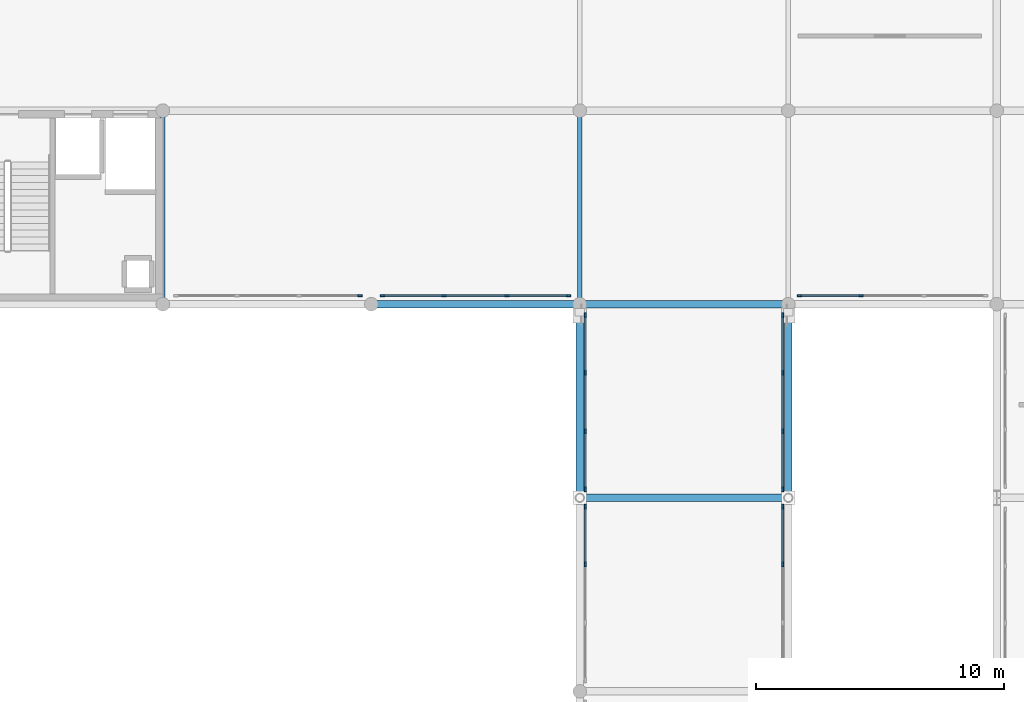
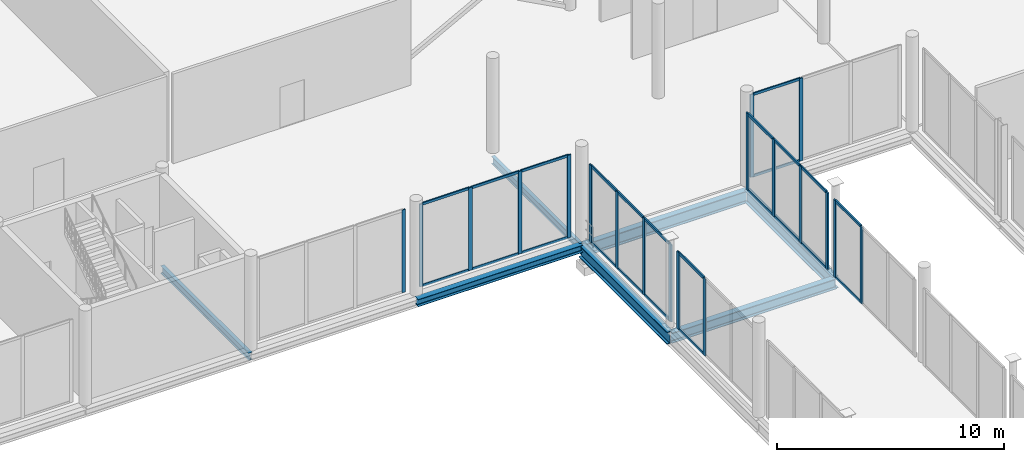
# One storey, part 49 of 105: 43 members, 7 beams, 7 elements without a shape of their own.
"""IFC4 building model written with IfcOpenShell, lengths in metres."""

from ifc_helpers import new_model, si_unit, direction, frame, origin, origin_2d, place, context, subcontext, project, spatial, rectangle, i_section, extrude, material, material_profile, profile_set, type_object, element, aggregate, save


model = new_model("IFC4")

# Units and contexts
model_context = context("Model", 3, precision=1e-05, world=origin(), true_north=direction((0.0, 1.0)))
body_context = subcontext(model_context, "Body", "Model", "MODEL_VIEW")
ifc_project = project(units=[si_unit("LENGTHUNIT", "METRE"), si_unit("AREAUNIT", "SQUARE_METRE"), si_unit("VOLUMEUNIT", "CUBIC_METRE"), si_unit("PLANEANGLEUNIT", "RADIAN"), si_unit("MASSUNIT", "GRAM", prefix="KILO")], contexts=[model_context])

# Site, building, storey
site_placement = place(None, origin())
site = spatial("IfcSite", under=ifc_project, at=site_placement, CompositionType="ELEMENT")
building_placement = place(site_placement, origin())
building = spatial("IfcBuilding", under=site, at=building_placement, Name="Nabrawat Pavilion Hospital", CompositionType="ELEMENT")
storey_placement = place(building_placement, frame((0.0, 0.0, 5.10009765625)))
storey = spatial("IfcBuildingStorey", under=building, at=storey_placement, Name="L01", CompositionType="ELEMENT", Elevation=5.10009765625)

# Beams
ifc_material_1 = material(Name="Steel S355", Category="steel")
ifc_material_profile_1 = material_profile(ifc_material_1, i_section(OverallWidth=0.300048828125, OverallDepth=0.64990234375, WebThickness=0.01611328125, FlangeThickness=0.031005859375, FilletRadius=0.027099609375, at=origin_2d()), Name="HEB 650")
ifc_profile_set_1 = profile_set([ifc_material_profile_1], Name="Steel S355")
beam_type_1 = type_object("IfcBeamType", Name="Courtyard Link Bridge Edge Girder HEB 650", PredefinedType="USERDEFINED", material=ifc_profile_set_1)
beam_1_placement = place(storey_placement, frame((109.219970703125, 85.800048828125, -0.614990234375), z_axis=(1.0, 0.0, 0.0), x_axis=(0.0, 1.0, 0.0)))
element("IfcBeam", 1, at=beam_1_placement, inside=storey, type_object=beam_type_1, Name="L01 Courtyard Link Bridge Girder 612", ObjectType="GIRDER", PredefinedType="USERDEFINED", context=body_context, shape_type="SweptSolid", body=[
    extrude(i_section(OverallWidth=0.300048828125, OverallDepth=0.64990234375, WebThickness=0.01611328125, FlangeThickness=0.031005859375, FilletRadius=0.027099609375, at=origin_2d()), origin(), (0.0, 0.0, 1.0), 8.360107421875),
])
for number, where, z_axis, x_axis, name in (
    (2, (109.199951171875, 78.02001953125, -0.614990234375), (0.0, 1.0, 0.0), (-1.0, 0.0, 0.0), "L01 Courtyard Link Bridge Edge Girder 784"),
    (3, (117.60009765625, 78.02001953125, -0.614990234375), (0.0, 1.0, 0.0), (-1.0, 0.0, 0.0), "L01 Courtyard Link Bridge Edge Girder 793"),
):
    element("IfcBeam", number, at=place(storey_placement, frame(where, z_axis=z_axis, x_axis=x_axis)), inside=storey, type_object=beam_type_1, Name=name, ObjectType="GIRDER", PredefinedType="USERDEFINED", context=body_context, shape_type="SweptSolid", body=[
        extrude(i_section(OverallWidth=0.300048828125, OverallDepth=0.64990234375, WebThickness=0.01611328125, FlangeThickness=0.031005859375, FilletRadius=0.027099609375, at=origin_2d()), origin(), (0.0, 0.0, 1.0), 7.760009765625),
    ])

# Curtain wall, members
ifc_material_2 = material(Name="Anodised Aluminium", Category="aluminium")
curtain_wall_type_1 = type_object("IfcCurtainWallType", Name="Courtyard Link Bridge Glazed Curtain Wall", PredefinedType="USERDEFINED", material=ifc_material_2)
curtain_wall_1_placement = place(storey_placement, origin())
curtain_wall_1 = element("IfcCurtainWall", 4, at=curtain_wall_1_placement, inside=storey, type_object=curtain_wall_type_1, Name="L01 Courtyard Link Bridge Glazed Curtain Wall 075", ObjectType="CURTAIN WALL", PredefinedType="USERDEFINED")
ifc_material_profile_2 = material_profile(ifc_material_2, rectangle(XDim=0.070068359375, YDim=0.199951171875, at=origin_2d()), Name="CWM 70x200")
ifc_profile_set_2 = profile_set([ifc_material_profile_2], Name="Anodised Aluminium")
member_type_1 = type_object("IfcMemberType", Name="Courtyard Link Bridge Glazed Curtain Wall Mullion CWM 70x200", PredefinedType="MULLION", material=ifc_profile_set_2)
member_1_placement = place(storey_placement, frame((109.419921875, 75.326416015625, 0.0), z_axis=(0.0, 0.0, 1.0), x_axis=(-1.0, 0.0, 0.0)))
member_1 = element("IfcMember", 5, at=member_1_placement, type_object=member_type_1, Name="CW-BRG-01 mullion 3", PredefinedType="MULLION", context=body_context, shape_type="SweptSolid", body=[
    extrude(rectangle(XDim=0.070068359375, YDim=0.199951171875, at=origin_2d()), origin(), (0.0, 0.0, 1.0), 4.139892578125),
])
member_2_placement = place(storey_placement, frame((109.419921875, 77.647216796875, 0.0), z_axis=(0.0, 0.0, 1.0), x_axis=(-1.0, 0.0, 0.0)))
member_2 = element("IfcMember", 6, at=member_2_placement, type_object=member_type_1, Name="CW-BRG-01 mullion 4", PredefinedType="MULLION", context=body_context, shape_type="SweptSolid", body=[
    extrude(rectangle(XDim=0.070068359375, YDim=0.199951171875, at=origin_2d()), origin(), (0.0, 0.0, 1.0), 4.139892578125),
])

curtain_wall_2_placement = place(storey_placement, origin())
curtain_wall_2 = element("IfcCurtainWall", 7, at=curtain_wall_2_placement, inside=storey, type_object=curtain_wall_type_1, Name="L01 Courtyard Link Bridge Glazed Curtain Wall 076", ObjectType="CURTAIN WALL", PredefinedType="USERDEFINED")
member_3_placement = place(storey_placement, frame((109.419921875, 78.352783203125, 0.0), z_axis=(0.0, 0.0, 1.0), x_axis=(-1.0, 0.0, 0.0)))
member_3 = element("IfcMember", 8, at=member_3_placement, type_object=member_type_1, Name="CW-BRG-01 mullion 1", PredefinedType="MULLION", context=body_context, shape_type="SweptSolid", body=[
    extrude(rectangle(XDim=0.070068359375, YDim=0.199951171875, at=origin_2d()), origin(), (0.0, 0.0, 1.0), 4.139892578125),
])
member_4_placement = place(storey_placement, frame((109.419921875, 80.673583984375, 0.0), z_axis=(0.0, 0.0, 1.0), x_axis=(-1.0, 0.0, 0.0)))
member_4 = element("IfcMember", 9, at=member_4_placement, type_object=member_type_1, Name="CW-BRG-01 mullion 2", PredefinedType="MULLION", context=body_context, shape_type="SweptSolid", body=[
    extrude(rectangle(XDim=0.070068359375, YDim=0.199951171875, at=origin_2d()), origin(), (0.0, 0.0, 1.0), 4.139892578125),
])
member_5_placement = place(storey_placement, frame((109.419921875, 83.029296875, 0.0), z_axis=(0.0, 0.0, 1.0), x_axis=(-1.0, 0.0, 0.0)))
member_5 = element("IfcMember", 10, at=member_5_placement, type_object=member_type_1, Name="CW-BRG-01 mullion 3", PredefinedType="MULLION", context=body_context, shape_type="SweptSolid", body=[
    extrude(rectangle(XDim=0.070068359375, YDim=0.199951171875, at=origin_2d()), origin(), (0.0, 0.0, 1.0), 4.139892578125),
])
member_6_placement = place(storey_placement, frame((109.419921875, 85.35009765625, 0.0), z_axis=(0.0, 0.0, 1.0), x_axis=(-1.0, 0.0, 0.0)))
member_6 = element("IfcMember", 11, at=member_6_placement, type_object=member_type_1, Name="CW-BRG-01 mullion 4", PredefinedType="MULLION", context=body_context, shape_type="SweptSolid", body=[
    extrude(rectangle(XDim=0.070068359375, YDim=0.199951171875, at=origin_2d()), origin(), (0.0, 0.0, 1.0), 4.139892578125),
])

curtain_wall_3_placement = place(storey_placement, origin())
curtain_wall_3 = element("IfcCurtainWall", 12, at=curtain_wall_3_placement, inside=storey, type_object=curtain_wall_type_1, Name="L01 Courtyard Link Bridge Glazed Curtain Wall 081", ObjectType="CURTAIN WALL", PredefinedType="USERDEFINED")
member_7_placement = place(storey_placement, frame((117.3798828125, 75.326416015625, 0.0), z_axis=(0.0, 0.0, 1.0), x_axis=(-1.0, 0.0, 0.0)))
member_7 = element("IfcMember", 13, at=member_7_placement, type_object=member_type_1, Name="CW-BRG-01 mullion 3", PredefinedType="MULLION", context=body_context, shape_type="SweptSolid", body=[
    extrude(rectangle(XDim=0.070068359375, YDim=0.199951171875, at=origin_2d()), origin(), (0.0, 0.0, 1.0), 4.139892578125),
])
member_8_placement = place(storey_placement, frame((117.3798828125, 77.647216796875, 0.0), z_axis=(0.0, 0.0, 1.0), x_axis=(-1.0, 0.0, 0.0)))
member_8 = element("IfcMember", 14, at=member_8_placement, type_object=member_type_1, Name="CW-BRG-01 mullion 4", PredefinedType="MULLION", context=body_context, shape_type="SweptSolid", body=[
    extrude(rectangle(XDim=0.070068359375, YDim=0.199951171875, at=origin_2d()), origin(), (0.0, 0.0, 1.0), 4.139892578125),
])

curtain_wall_4_placement = place(storey_placement, origin())
curtain_wall_4 = element("IfcCurtainWall", 15, at=curtain_wall_4_placement, inside=storey, type_object=curtain_wall_type_1, Name="L01 Courtyard Link Bridge Glazed Curtain Wall 082", ObjectType="CURTAIN WALL", PredefinedType="USERDEFINED")
member_9_placement = place(storey_placement, frame((117.3798828125, 78.352783203125, 0.0), z_axis=(0.0, 0.0, 1.0), x_axis=(-1.0, 0.0, 0.0)))
member_9 = element("IfcMember", 16, at=member_9_placement, type_object=member_type_1, Name="CW-BRG-01 mullion 1", PredefinedType="MULLION", context=body_context, shape_type="SweptSolid", body=[
    extrude(rectangle(XDim=0.070068359375, YDim=0.199951171875, at=origin_2d()), origin(), (0.0, 0.0, 1.0), 4.139892578125),
])
member_10_placement = place(storey_placement, frame((117.3798828125, 80.673583984375, 0.0), z_axis=(0.0, 0.0, 1.0), x_axis=(-1.0, 0.0, 0.0)))
member_10 = element("IfcMember", 17, at=member_10_placement, type_object=member_type_1, Name="CW-BRG-01 mullion 2", PredefinedType="MULLION", context=body_context, shape_type="SweptSolid", body=[
    extrude(rectangle(XDim=0.070068359375, YDim=0.199951171875, at=origin_2d()), origin(), (0.0, 0.0, 1.0), 4.139892578125),
])
member_11_placement = place(storey_placement, frame((117.3798828125, 83.029296875, 0.0), z_axis=(0.0, 0.0, 1.0), x_axis=(-1.0, 0.0, 0.0)))
member_11 = element("IfcMember", 18, at=member_11_placement, type_object=member_type_1, Name="CW-BRG-01 mullion 3", PredefinedType="MULLION", context=body_context, shape_type="SweptSolid", body=[
    extrude(rectangle(XDim=0.070068359375, YDim=0.199951171875, at=origin_2d()), origin(), (0.0, 0.0, 1.0), 4.139892578125),
])
member_12_placement = place(storey_placement, frame((117.3798828125, 85.35009765625, 0.0), z_axis=(0.0, 0.0, 1.0), x_axis=(-1.0, 0.0, 0.0)))
member_12 = element("IfcMember", 19, at=member_12_placement, type_object=member_type_1, Name="CW-BRG-01 mullion 4", PredefinedType="MULLION", context=body_context, shape_type="SweptSolid", body=[
    extrude(rectangle(XDim=0.070068359375, YDim=0.199951171875, at=origin_2d()), origin(), (0.0, 0.0, 1.0), 4.139892578125),
])

# Member
ifc_material_profile_3 = material_profile(ifc_material_2, rectangle(XDim=0.070068359375, YDim=0.14990234375, at=origin_2d()), Name="CWT 70x150")
ifc_profile_set_3 = profile_set([ifc_material_profile_3], Name="Anodised Aluminium")
member_type_2 = type_object("IfcMemberType", Name="Courtyard Link Bridge Glazed Curtain Wall Transom CWT 70x150", PredefinedType="USERDEFINED", material=ifc_profile_set_3)
member_13_placement = place(storey_placement, frame((109.419921875, 75.361572265625, 0.034912109375), z_axis=(0.0, 1.0, 0.0), x_axis=(-1.0, 0.0, 0.0)))
member_13 = element("IfcMember", 20, at=member_13_placement, type_object=member_type_2, Name="CW-BRG-01 transom 3.1", ObjectType="TRANSOM", PredefinedType="USERDEFINED", context=body_context, shape_type="SweptSolid", body=[
    extrude(rectangle(XDim=0.070068359375, YDim=0.14990234375, at=origin_2d()), origin(), (0.0, 0.0, 1.0), 2.250732421875),
])

member_14_placement = place(storey_placement, frame((109.419921875, 75.361572265625, 4.10498046875), z_axis=(0.0, 1.0, 0.0), x_axis=(-1.0, 0.0, 0.0)))
member_14 = element("IfcMember", 21, at=member_14_placement, type_object=member_type_2, Name="CW-BRG-01 transom 3.2", ObjectType="TRANSOM", PredefinedType="USERDEFINED", context=body_context, shape_type="SweptSolid", body=[
    extrude(rectangle(XDim=0.070068359375, YDim=0.14990234375, at=origin_2d()), origin(), (0.0, 0.0, 1.0), 2.250732421875),
])

aggregate(curtain_wall_1, [member_1, member_2, member_13, member_14])

member_15_placement = place(storey_placement, frame((109.419921875, 78.3876953125, 0.034912109375), z_axis=(0.0, 1.0, 0.0), x_axis=(-1.0, 0.0, 0.0)))
member_15 = element("IfcMember", 22, at=member_15_placement, type_object=member_type_2, Name="CW-BRG-01 transom 1.1", ObjectType="TRANSOM", PredefinedType="USERDEFINED", context=body_context, shape_type="SweptSolid", body=[
    extrude(rectangle(XDim=0.070068359375, YDim=0.14990234375, at=origin_2d()), origin(), (0.0, 0.0, 1.0), 2.250732421875),
])

member_16_placement = place(storey_placement, frame((109.419921875, 78.3876953125, 4.10498046875), z_axis=(0.0, 1.0, 0.0), x_axis=(-1.0, 0.0, 0.0)))
member_16 = element("IfcMember", 23, at=member_16_placement, type_object=member_type_2, Name="CW-BRG-01 transom 1.2", ObjectType="TRANSOM", PredefinedType="USERDEFINED", context=body_context, shape_type="SweptSolid", body=[
    extrude(rectangle(XDim=0.070068359375, YDim=0.14990234375, at=origin_2d()), origin(), (0.0, 0.0, 1.0), 2.250732421875),
])

member_17_placement = place(storey_placement, frame((109.419921875, 80.70849609375, 0.034912109375), z_axis=(0.0, 1.0, 0.0), x_axis=(-1.0, 0.0, 0.0)))
member_17 = element("IfcMember", 24, at=member_17_placement, type_object=member_type_2, Name="CW-BRG-01 transom 2.1", ObjectType="TRANSOM", PredefinedType="USERDEFINED", context=body_context, shape_type="SweptSolid", body=[
    extrude(rectangle(XDim=0.070068359375, YDim=0.14990234375, at=origin_2d()), origin(), (0.0, 0.0, 1.0), 2.285888671875),
])

member_18_placement = place(storey_placement, frame((109.419921875, 80.70849609375, 4.10498046875), z_axis=(0.0, 1.0, 0.0), x_axis=(-1.0, 0.0, 0.0)))
member_18 = element("IfcMember", 25, at=member_18_placement, type_object=member_type_2, Name="CW-BRG-01 transom 2.2", ObjectType="TRANSOM", PredefinedType="USERDEFINED", context=body_context, shape_type="SweptSolid", body=[
    extrude(rectangle(XDim=0.070068359375, YDim=0.14990234375, at=origin_2d()), origin(), (0.0, 0.0, 1.0), 2.285888671875),
])

member_19_placement = place(storey_placement, frame((109.419921875, 83.064208984375, 0.034912109375), z_axis=(0.0, 1.0, 0.0), x_axis=(-1.0, 0.0, 0.0)))
member_19 = element("IfcMember", 26, at=member_19_placement, type_object=member_type_2, Name="CW-BRG-01 transom 3.1", ObjectType="TRANSOM", PredefinedType="USERDEFINED", context=body_context, shape_type="SweptSolid", body=[
    extrude(rectangle(XDim=0.070068359375, YDim=0.14990234375, at=origin_2d()), origin(), (0.0, 0.0, 1.0), 2.250732421875),
])

member_20_placement = place(storey_placement, frame((109.419921875, 83.064208984375, 4.10498046875), z_axis=(0.0, 1.0, 0.0), x_axis=(-1.0, 0.0, 0.0)))
member_20 = element("IfcMember", 27, at=member_20_placement, type_object=member_type_2, Name="CW-BRG-01 transom 3.2", ObjectType="TRANSOM", PredefinedType="USERDEFINED", context=body_context, shape_type="SweptSolid", body=[
    extrude(rectangle(XDim=0.070068359375, YDim=0.14990234375, at=origin_2d()), origin(), (0.0, 0.0, 1.0), 2.250732421875),
])

aggregate(curtain_wall_2, [member_3, member_4, member_5, member_6, member_15, member_16, member_17, member_18, member_19, member_20])

member_21_placement = place(storey_placement, frame((117.3798828125, 75.361572265625, 0.034912109375), z_axis=(0.0, 1.0, 0.0), x_axis=(-1.0, 0.0, 0.0)))
member_21 = element("IfcMember", 28, at=member_21_placement, type_object=member_type_2, Name="CW-BRG-01 transom 3.1", ObjectType="TRANSOM", PredefinedType="USERDEFINED", context=body_context, shape_type="SweptSolid", body=[
    extrude(rectangle(XDim=0.070068359375, YDim=0.14990234375, at=origin_2d()), origin(), (0.0, 0.0, 1.0), 2.250732421875),
])

member_22_placement = place(storey_placement, frame((117.3798828125, 75.361572265625, 4.10498046875), z_axis=(0.0, 1.0, 0.0), x_axis=(-1.0, 0.0, 0.0)))
member_22 = element("IfcMember", 29, at=member_22_placement, type_object=member_type_2, Name="CW-BRG-01 transom 3.2", ObjectType="TRANSOM", PredefinedType="USERDEFINED", context=body_context, shape_type="SweptSolid", body=[
    extrude(rectangle(XDim=0.070068359375, YDim=0.14990234375, at=origin_2d()), origin(), (0.0, 0.0, 1.0), 2.250732421875),
])

aggregate(curtain_wall_3, [member_7, member_8, member_21, member_22])

member_23_placement = place(storey_placement, frame((117.3798828125, 78.3876953125, 0.034912109375), z_axis=(0.0, 1.0, 0.0), x_axis=(-1.0, 0.0, 0.0)))
member_23 = element("IfcMember", 30, at=member_23_placement, type_object=member_type_2, Name="CW-BRG-01 transom 1.1", ObjectType="TRANSOM", PredefinedType="USERDEFINED", context=body_context, shape_type="SweptSolid", body=[
    extrude(rectangle(XDim=0.070068359375, YDim=0.14990234375, at=origin_2d()), origin(), (0.0, 0.0, 1.0), 2.250732421875),
])

member_24_placement = place(storey_placement, frame((117.3798828125, 78.3876953125, 4.10498046875), z_axis=(0.0, 1.0, 0.0), x_axis=(-1.0, 0.0, 0.0)))
member_24 = element("IfcMember", 31, at=member_24_placement, type_object=member_type_2, Name="CW-BRG-01 transom 1.2", ObjectType="TRANSOM", PredefinedType="USERDEFINED", context=body_context, shape_type="SweptSolid", body=[
    extrude(rectangle(XDim=0.070068359375, YDim=0.14990234375, at=origin_2d()), origin(), (0.0, 0.0, 1.0), 2.250732421875),
])

member_25_placement = place(storey_placement, frame((117.3798828125, 80.70849609375, 0.034912109375), z_axis=(0.0, 1.0, 0.0), x_axis=(-1.0, 0.0, 0.0)))
member_25 = element("IfcMember", 32, at=member_25_placement, type_object=member_type_2, Name="CW-BRG-01 transom 2.1", ObjectType="TRANSOM", PredefinedType="USERDEFINED", context=body_context, shape_type="SweptSolid", body=[
    extrude(rectangle(XDim=0.070068359375, YDim=0.14990234375, at=origin_2d()), origin(), (0.0, 0.0, 1.0), 2.285888671875),
])

member_26_placement = place(storey_placement, frame((117.3798828125, 80.70849609375, 4.10498046875), z_axis=(0.0, 1.0, 0.0), x_axis=(-1.0, 0.0, 0.0)))
member_26 = element("IfcMember", 33, at=member_26_placement, type_object=member_type_2, Name="CW-BRG-01 transom 2.2", ObjectType="TRANSOM", PredefinedType="USERDEFINED", context=body_context, shape_type="SweptSolid", body=[
    extrude(rectangle(XDim=0.070068359375, YDim=0.14990234375, at=origin_2d()), origin(), (0.0, 0.0, 1.0), 2.285888671875),
])

member_27_placement = place(storey_placement, frame((117.3798828125, 83.064208984375, 0.034912109375), z_axis=(0.0, 1.0, 0.0), x_axis=(-1.0, 0.0, 0.0)))
member_27 = element("IfcMember", 34, at=member_27_placement, type_object=member_type_2, Name="CW-BRG-01 transom 3.1", ObjectType="TRANSOM", PredefinedType="USERDEFINED", context=body_context, shape_type="SweptSolid", body=[
    extrude(rectangle(XDim=0.070068359375, YDim=0.14990234375, at=origin_2d()), origin(), (0.0, 0.0, 1.0), 2.250732421875),
])

member_28_placement = place(storey_placement, frame((117.3798828125, 83.064208984375, 4.10498046875), z_axis=(0.0, 1.0, 0.0), x_axis=(-1.0, 0.0, 0.0)))
member_28 = element("IfcMember", 35, at=member_28_placement, type_object=member_type_2, Name="CW-BRG-01 transom 3.2", ObjectType="TRANSOM", PredefinedType="USERDEFINED", context=body_context, shape_type="SweptSolid", body=[
    extrude(rectangle(XDim=0.070068359375, YDim=0.14990234375, at=origin_2d()), origin(), (0.0, 0.0, 1.0), 2.250732421875),
])

aggregate(curtain_wall_4, [member_9, member_10, member_11, member_12, member_23, member_24, member_25, member_26, member_27, member_28])

# Curtain wall, member
curtain_wall_type_2 = type_object("IfcCurtainWallType", Name="Healing Garden Cloister Curtain Wall", PredefinedType="USERDEFINED", material=ifc_material_2)
curtain_wall_5_placement = place(storey_placement, origin())
curtain_wall_5 = element("IfcCurtainWall", 36, at=curtain_wall_5_placement, inside=storey, type_object=curtain_wall_type_2, Name="L01 Healing Garden Cloister Curtain Wall 069", ObjectType="CURTAIN WALL", PredefinedType="USERDEFINED")
ifc_material_profile_4 = material_profile(ifc_material_2, rectangle(XDim=0.06494140625, YDim=0.179931640625, at=origin_2d()), Name="CWM 65x180")
ifc_profile_set_4 = profile_set([ifc_material_profile_4], Name="Anodised Aluminium")
member_type_3 = type_object("IfcMemberType", Name="Healing Garden Cloister Curtain Wall Mullion CWM 65x180", PredefinedType="MULLION", material=ifc_profile_set_4)
member_29_placement = place(storey_placement, frame((100.3525390625, 86.139892578125, 0.0), z_axis=(0.0, 0.0, 1.0), x_axis=(0.0, 1.0, 0.0)))
member_29 = element("IfcMember", 37, at=member_29_placement, type_object=member_type_3, Name="CW-CLN-01 mullion 4", PredefinedType="MULLION", context=body_context, shape_type="SweptSolid", body=[
    extrude(rectangle(XDim=0.06494140625, YDim=0.179931640625, at=origin_2d()), origin(), (0.0, 0.0, 1.0), 4.43994140625),
])
aggregate(curtain_wall_5, [member_29])

# Curtain wall, members
curtain_wall_6_placement = place(storey_placement, origin())
curtain_wall_6 = element("IfcCurtainWall", 38, at=curtain_wall_6_placement, inside=storey, type_object=curtain_wall_type_2, Name="L01 Healing Garden Cloister Curtain Wall 070", ObjectType="CURTAIN WALL", PredefinedType="USERDEFINED")
member_30_placement = place(storey_placement, frame((101.24755859375, 86.139892578125, 0.0), z_axis=(0.0, 0.0, 1.0), x_axis=(0.0, 1.0, 0.0)))
member_30 = element("IfcMember", 39, at=member_30_placement, type_object=member_type_3, Name="CW-CLN-01 mullion 1", PredefinedType="MULLION", context=body_context, shape_type="SweptSolid", body=[
    extrude(rectangle(XDim=0.06494140625, YDim=0.179931640625, at=origin_2d()), origin(), (0.0, 0.0, 1.0), 4.43994140625),
])
member_31_placement = place(storey_placement, frame((103.73828125, 86.139892578125, 0.0), z_axis=(0.0, 0.0, 1.0), x_axis=(0.0, 1.0, 0.0)))
member_31 = element("IfcMember", 40, at=member_31_placement, type_object=member_type_3, Name="CW-CLN-01 mullion 2", PredefinedType="MULLION", context=body_context, shape_type="SweptSolid", body=[
    extrude(rectangle(XDim=0.06494140625, YDim=0.179931640625, at=origin_2d()), origin(), (0.0, 0.0, 1.0), 4.43994140625),
])
member_32_placement = place(storey_placement, frame((106.26171875, 86.139892578125, 0.0), z_axis=(0.0, 0.0, 1.0), x_axis=(0.0, 1.0, 0.0)))
member_32 = element("IfcMember", 41, at=member_32_placement, type_object=member_type_3, Name="CW-CLN-01 mullion 3", PredefinedType="MULLION", context=body_context, shape_type="SweptSolid", body=[
    extrude(rectangle(XDim=0.06494140625, YDim=0.179931640625, at=origin_2d()), origin(), (0.0, 0.0, 1.0), 4.43994140625),
])
member_33_placement = place(storey_placement, frame((108.75244140625, 86.139892578125, 0.0), z_axis=(0.0, 0.0, 1.0), x_axis=(0.0, 1.0, 0.0)))
member_33 = element("IfcMember", 42, at=member_33_placement, type_object=member_type_3, Name="CW-CLN-01 mullion 4", PredefinedType="MULLION", context=body_context, shape_type="SweptSolid", body=[
    extrude(rectangle(XDim=0.06494140625, YDim=0.179931640625, at=origin_2d()), origin(), (0.0, 0.0, 1.0), 4.43994140625),
])

curtain_wall_7_placement = place(storey_placement, origin())
curtain_wall_7 = element("IfcCurtainWall", 43, at=curtain_wall_7_placement, inside=storey, type_object=curtain_wall_type_2, Name="L01 Healing Garden Cloister Curtain Wall 084", ObjectType="CURTAIN WALL", PredefinedType="USERDEFINED")
member_34_placement = place(storey_placement, frame((118.047607421875, 86.139892578125, 0.0), z_axis=(0.0, 0.0, 1.0), x_axis=(0.0, 1.0, 0.0)))
member_34 = element("IfcMember", 44, at=member_34_placement, type_object=member_type_3, Name="CW-CLN-01 mullion 1", PredefinedType="MULLION", context=body_context, shape_type="SweptSolid", body=[
    extrude(rectangle(XDim=0.06494140625, YDim=0.179931640625, at=origin_2d()), origin(), (0.0, 0.0, 1.0), 4.43994140625),
])
member_35_placement = place(storey_placement, frame((120.538330078125, 86.139892578125, 0.0), z_axis=(0.0, 0.0, 1.0), x_axis=(0.0, 1.0, 0.0)))
member_35 = element("IfcMember", 45, at=member_35_placement, type_object=member_type_3, Name="CW-CLN-01 mullion 2", PredefinedType="MULLION", context=body_context, shape_type="SweptSolid", body=[
    extrude(rectangle(XDim=0.06494140625, YDim=0.179931640625, at=origin_2d()), origin(), (0.0, 0.0, 1.0), 4.43994140625),
])

# Member
ifc_material_profile_5 = material_profile(ifc_material_2, rectangle(XDim=0.06494140625, YDim=0.135009765625, at=origin_2d()), Name="CWT 65x135")
ifc_profile_set_5 = profile_set([ifc_material_profile_5], Name="Anodised Aluminium")
member_type_4 = type_object("IfcMemberType", Name="Healing Garden Cloister Curtain Wall Transom CWT 65x135", PredefinedType="USERDEFINED", material=ifc_profile_set_5)
member_36_placement = place(storey_placement, frame((101.280029296875, 86.139892578125, 0.032470703125), z_axis=(1.0, 0.0, 0.0), x_axis=(0.0, 1.0, 0.0)))
member_36 = element("IfcMember", 46, at=member_36_placement, type_object=member_type_4, Name="CW-CLN-01 transom 1.1", ObjectType="TRANSOM", PredefinedType="USERDEFINED", context=body_context, shape_type="SweptSolid", body=[
    extrude(rectangle(XDim=0.06494140625, YDim=0.135009765625, at=origin_2d()), origin(), (0.0, 0.0, 1.0), 2.42578125),
])

member_37_placement = place(storey_placement, frame((101.280029296875, 86.139892578125, 4.407470703125), z_axis=(1.0, 0.0, 0.0), x_axis=(0.0, 1.0, 0.0)))
member_37 = element("IfcMember", 47, at=member_37_placement, type_object=member_type_4, Name="CW-CLN-01 transom 1.2", ObjectType="TRANSOM", PredefinedType="USERDEFINED", context=body_context, shape_type="SweptSolid", body=[
    extrude(rectangle(XDim=0.06494140625, YDim=0.135009765625, at=origin_2d()), origin(), (0.0, 0.0, 1.0), 2.42578125),
])

member_38_placement = place(storey_placement, frame((103.770751953125, 86.139892578125, 0.032470703125), z_axis=(1.0, 0.0, 0.0), x_axis=(0.0, 1.0, 0.0)))
member_38 = element("IfcMember", 48, at=member_38_placement, type_object=member_type_4, Name="CW-CLN-01 transom 2.1", ObjectType="TRANSOM", PredefinedType="USERDEFINED", context=body_context, shape_type="SweptSolid", body=[
    extrude(rectangle(XDim=0.06494140625, YDim=0.135009765625, at=origin_2d()), origin(), (0.0, 0.0, 1.0), 2.45849609375),
])

member_39_placement = place(storey_placement, frame((103.770751953125, 86.139892578125, 4.407470703125), z_axis=(1.0, 0.0, 0.0), x_axis=(0.0, 1.0, 0.0)))
member_39 = element("IfcMember", 49, at=member_39_placement, type_object=member_type_4, Name="CW-CLN-01 transom 2.2", ObjectType="TRANSOM", PredefinedType="USERDEFINED", context=body_context, shape_type="SweptSolid", body=[
    extrude(rectangle(XDim=0.06494140625, YDim=0.135009765625, at=origin_2d()), origin(), (0.0, 0.0, 1.0), 2.45849609375),
])

member_40_placement = place(storey_placement, frame((106.294189453125, 86.139892578125, 0.032470703125), z_axis=(1.0, 0.0, 0.0), x_axis=(0.0, 1.0, 0.0)))
member_40 = element("IfcMember", 50, at=member_40_placement, type_object=member_type_4, Name="CW-CLN-01 transom 3.1", ObjectType="TRANSOM", PredefinedType="USERDEFINED", context=body_context, shape_type="SweptSolid", body=[
    extrude(rectangle(XDim=0.06494140625, YDim=0.135009765625, at=origin_2d()), origin(), (0.0, 0.0, 1.0), 2.42578125),
])

member_41_placement = place(storey_placement, frame((106.294189453125, 86.139892578125, 4.407470703125), z_axis=(1.0, 0.0, 0.0), x_axis=(0.0, 1.0, 0.0)))
member_41 = element("IfcMember", 51, at=member_41_placement, type_object=member_type_4, Name="CW-CLN-01 transom 3.2", ObjectType="TRANSOM", PredefinedType="USERDEFINED", context=body_context, shape_type="SweptSolid", body=[
    extrude(rectangle(XDim=0.06494140625, YDim=0.135009765625, at=origin_2d()), origin(), (0.0, 0.0, 1.0), 2.42578125),
])

aggregate(curtain_wall_6, [member_30, member_31, member_32, member_33, member_36, member_37, member_38, member_39, member_40, member_41])

member_42_placement = place(storey_placement, frame((118.080078125, 86.139892578125, 0.032470703125), z_axis=(1.0, 0.0, 0.0), x_axis=(0.0, 1.0, 0.0)))
member_42 = element("IfcMember", 52, at=member_42_placement, type_object=member_type_4, Name="CW-CLN-01 transom 1.1", ObjectType="TRANSOM", PredefinedType="USERDEFINED", context=body_context, shape_type="SweptSolid", body=[
    extrude(rectangle(XDim=0.06494140625, YDim=0.135009765625, at=origin_2d()), origin(), (0.0, 0.0, 1.0), 2.42578125),
])

member_43_placement = place(storey_placement, frame((118.080078125, 86.139892578125, 4.407470703125), z_axis=(1.0, 0.0, 0.0), x_axis=(0.0, 1.0, 0.0)))
member_43 = element("IfcMember", 53, at=member_43_placement, type_object=member_type_4, Name="CW-CLN-01 transom 1.2", ObjectType="TRANSOM", PredefinedType="USERDEFINED", context=body_context, shape_type="SweptSolid", body=[
    extrude(rectangle(XDim=0.06494140625, YDim=0.135009765625, at=origin_2d()), origin(), (0.0, 0.0, 1.0), 2.42578125),
])

aggregate(curtain_wall_7, [member_34, member_35, member_42, member_43])

# Beams
ifc_material_profile_6 = material_profile(ifc_material_1, i_section(OverallWidth=0.300048828125, OverallDepth=0.389892578125, WebThickness=0.010986328125, FlangeThickness=0.01904296875, FilletRadius=0.027099609375, at=origin_2d()), Name="HEA 400")
ifc_profile_set_6 = profile_set([ifc_material_profile_6], Name="Steel S355")
beam_type_2 = type_object("IfcBeamType", Name="Perimeter Moment Spandrel Beam HEA 400", PredefinedType="SPANDREL", material=ifc_profile_set_6)
beam_2_placement = place(storey_placement, frame((100.820068359375, 85.800048828125, -0.47509765625), z_axis=(1.0, 0.0, 0.0), x_axis=(0.0, 1.0, 0.0)))
element("IfcBeam", 54, at=beam_2_placement, inside=storey, type_object=beam_type_2, Name="L01 Primary X Girder 611", PredefinedType="SPANDREL", context=body_context, shape_type="SweptSolid", body=[
    extrude(i_section(OverallWidth=0.300048828125, OverallDepth=0.389892578125, WebThickness=0.010986328125, FlangeThickness=0.01904296875, FilletRadius=0.027099609375, at=origin_2d()), origin(), (0.0, 0.0, 1.0), 8.35986328125),
])
ifc_material_profile_7 = material_profile(ifc_material_1, i_section(OverallWidth=0.300048828125, OverallDepth=0.550048828125, WebThickness=0.014892578125, FlangeThickness=0.029052734375, FilletRadius=0.027099609375, at=origin_2d()), Name="HEB 550")
ifc_profile_set_7 = profile_set([ifc_material_profile_7], Name="Steel S355")
beam_type_3 = type_object("IfcBeamType", Name="Primary Floor Girder HEB 550", PredefinedType="USERDEFINED", material=ifc_profile_set_7)
beam_3_placement = place(storey_placement, frame((109.219970703125, 78.0, -0.565185546875), z_axis=(1.0, 0.0, 0.0), x_axis=(0.0, 1.0, 0.0)))
element("IfcBeam", 55, at=beam_3_placement, inside=storey, type_object=beam_type_3, Name="L01 Courtyard Link Bridge Girder 590", ObjectType="GIRDER", PredefinedType="USERDEFINED", context=body_context, shape_type="SweptSolid", body=[
    extrude(i_section(OverallWidth=0.300048828125, OverallDepth=0.550048828125, WebThickness=0.014892578125, FlangeThickness=0.029052734375, FilletRadius=0.027099609375, at=origin_2d()), origin(), (0.0, 0.0, 1.0), 8.360107421875),
])
ifc_material_profile_8 = material_profile(ifc_material_1, i_section(OverallWidth=0.179931640625, OverallDepth=0.39990234375, WebThickness=0.008544921875, FlangeThickness=0.013427734375, FilletRadius=0.02099609375, at=origin_2d()), Name="IPE 400")
ifc_profile_set_8 = profile_set([ifc_material_profile_8], Name="Steel S355")
beam_type_4 = type_object("IfcBeamType", Name="Standard Y Floor Beam IPE 400", PredefinedType="BEAM", material=ifc_profile_set_8)
for number, where, z_axis, x_axis, name in (
    (56, (92.39990234375, 85.820068359375, -0.47998046875), (0.0, 1.0, 0.0), (-1.0, 0.0, 0.0), "L01 Primary Y Beam 779"),
    (57, (109.199951171875, 85.820068359375, -0.47998046875), (0.0, 1.0, 0.0), (-1.0, 0.0, 0.0), "L01 Primary Y Beam 785"),
):
    element("IfcBeam", number, at=place(storey_placement, frame(where, z_axis=z_axis, x_axis=x_axis)), inside=storey, type_object=beam_type_4, Name=name, PredefinedType="BEAM", context=body_context, shape_type="SweptSolid", body=[
        extrude(i_section(OverallWidth=0.179931640625, OverallDepth=0.39990234375, WebThickness=0.008544921875, FlangeThickness=0.013427734375, FilletRadius=0.02099609375, at=origin_2d()), origin(), (0.0, 0.0, 1.0), 7.760009765625),
    ])

save(model, "model.ifc")
